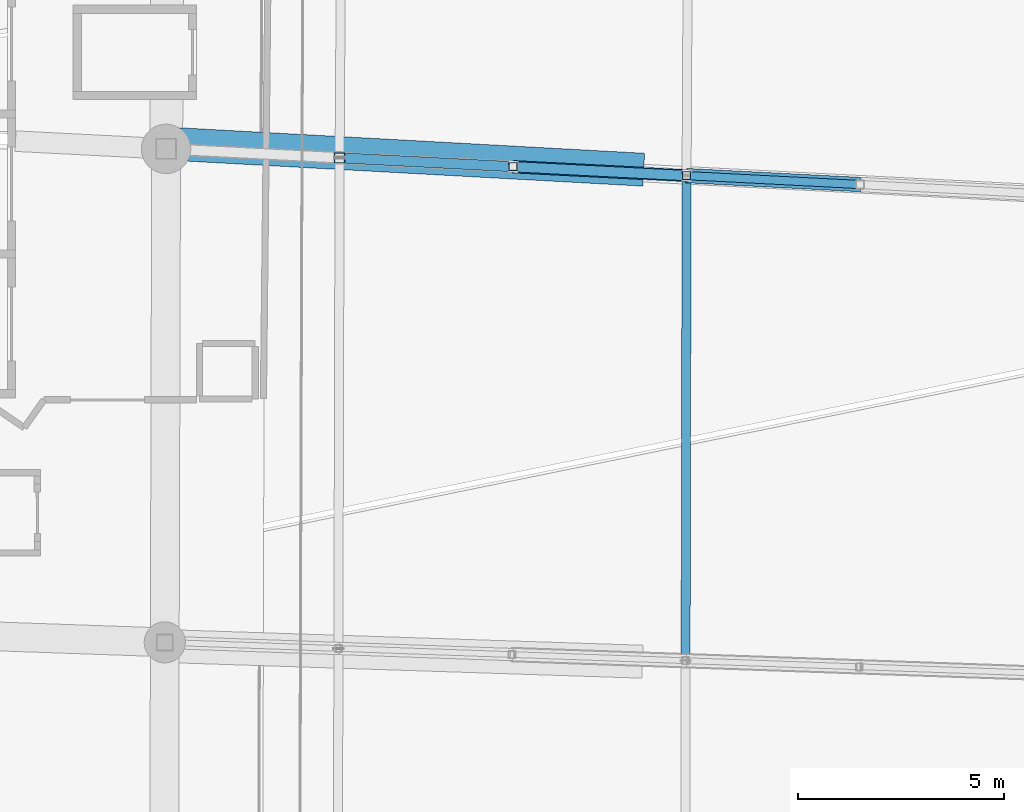
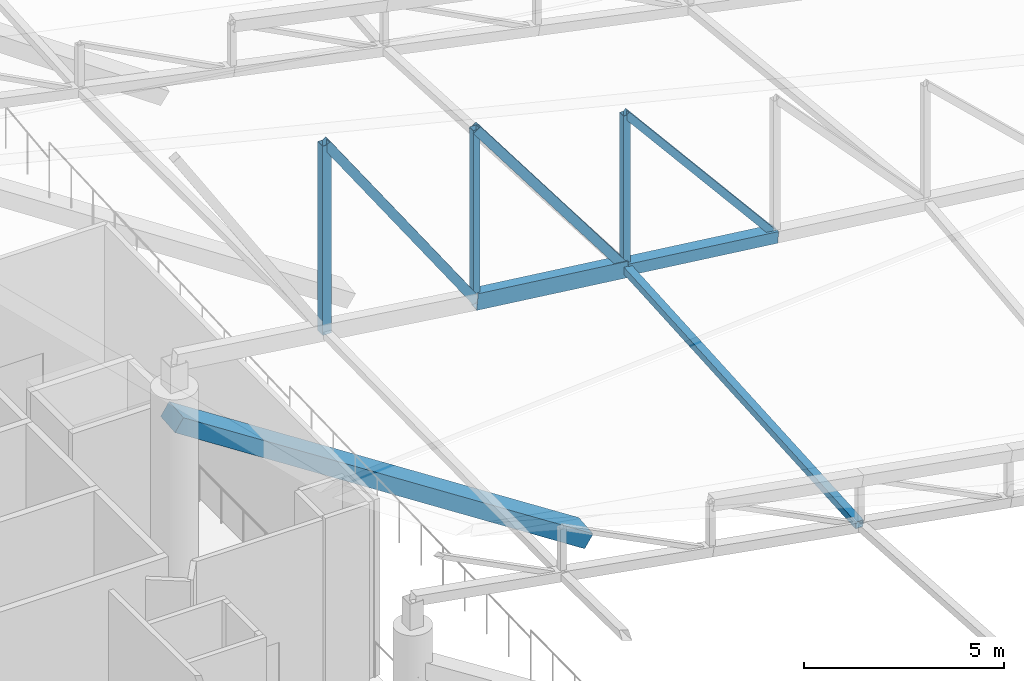
# One storey, part 118 of 344: 9 members, 1 beam.
"""IFC4 building model written with IfcOpenShell, lengths in metres."""

from ifc_helpers import new_model, si_unit, direction, frame, origin, origin_2d, place, context, subcontext, project, spatial, rectangle, hollow_rectangle, extrude, material, material_profile, profile_set, type_object, element, save


model = new_model("IFC4")

# Units and contexts
model_context = context("Model", 3, precision=1e-05, world=origin(), true_north=direction((0.0, 1.0)))
body_context = subcontext(model_context, "Body", "Model", "MODEL_VIEW")
ifc_project = project(units=[si_unit("LENGTHUNIT", "METRE"), si_unit("AREAUNIT", "SQUARE_METRE"), si_unit("VOLUMEUNIT", "CUBIC_METRE"), si_unit("PLANEANGLEUNIT", "RADIAN"), si_unit("MASSUNIT", "GRAM", prefix="KILO")], contexts=[model_context])

# Site, building, storey
site_placement = place(None, origin())
site = spatial("IfcSite", under=ifc_project, at=site_placement, CompositionType="ELEMENT")
building_placement = place(site_placement, origin())
building = spatial("IfcBuilding", under=site, at=building_placement, Name="Meseta Stadium", CompositionType="ELEMENT")
storey_placement = place(building_placement, frame((0.0, 0.0, 24.0)))
storey = spatial("IfcBuildingStorey", under=building, at=storey_placement, Name="L04", CompositionType="ELEMENT", Elevation=24.0)

# Beam
ifc_material_1 = material(Name="Concrete C40/50", Category="concrete")
ifc_material_profile_1 = material_profile(ifc_material_1, rectangle(XDim=0.800048828125, YDim=0.449951171875, at=origin_2d()), Name="RC 800x450")
ifc_profile_set_1 = profile_set([ifc_material_profile_1], Name="Concrete C40/50")
beam_type = type_object("IfcBeamType", Name="RC raker upper rear 800x450", PredefinedType="USERDEFINED", material=ifc_profile_set_1)
beam_placement = place(storey_placement, frame((-73.451416015625, 29.904052734375, -2.212158203125), z_axis=(-0.846740729014, 0.046430045715, 0.529975837831), x_axis=(-0.054751589678, -0.998500006724, 0.0)))
element("IfcBeam", 1, at=beam_placement, inside=storey, type_object=beam_type, Name="Raker upper rear frame 30 upper tier", ObjectType="RAKER", PredefinedType="USERDEFINED", context=body_context, shape_type="SweptSolid", body=[
    extrude(rectangle(XDim=0.800048828125, YDim=0.449951171875, at=origin_2d()), origin(), (0.0, 0.0, 1.0), 13.56103515625),
])

# Members
ifc_material_2 = material(Name="Steel S355", Category="steel")
ifc_material_profile_2 = material_profile(ifc_material_2, hollow_rectangle(XDim=0.300048828125, YDim=0.5, WallThickness=0.01611328125, at=origin_2d()), Name="RHS 500x300x16")
ifc_profile_set_2 = profile_set([ifc_material_profile_2], Name="Steel S355")
member_type_1 = type_object("IfcMemberType", Name="RHS 500x300x16 bottom chord", PredefinedType="CHORD", material=ifc_profile_set_2)
member_1_placement = place(storey_placement, frame((-72.290771484375, 29.75390625, 5.624755859375), z_axis=(-0.995305865628, 0.051116687095, 0.082178574743), x_axis=(-0.051290169905, -0.998683793035, 0.0)))
element("IfcMember", 2, at=member_1_placement, inside=storey, type_object=member_type_1, Name="ROOF TRUSS RT-30 bottom chord", PredefinedType="CHORD", context=body_context, shape_type="SweptSolid", body=[
    extrude(hollow_rectangle(XDim=0.300048828125, YDim=0.5, WallThickness=0.01611328125, at=origin_2d()), origin(), (0.0, 0.0, 1.0), 4.236328125),
])
ifc_material_3 = material(Name="Steel S355", Category="steel")
ifc_material_profile_3 = material_profile(ifc_material_3, hollow_rectangle(XDim=0.199951171875, YDim=0.199951171875, WallThickness=0.008056640625, at=origin_2d()), Name="SHS 200x200x8")
ifc_profile_set_3 = profile_set([ifc_material_profile_3], Name="Steel S355")
member_type_2 = type_object("IfcMemberType", Name="SHS 200x200x8 diagonal", PredefinedType="BRACE", material=ifc_profile_set_3)
member_2_placement = place(storey_placement, frame((-68.07421875, 29.537109375, 5.276611328125), z_axis=(-0.641537062944, 0.032985056563, 0.766382530407), x_axis=(-0.051347841848, -0.998680829463, 0.0)))
element("IfcMember", 3, at=member_2_placement, inside=storey, type_object=member_type_2, Name="ROOF TRUSS RT-30 diagonal", PredefinedType="BRACE", context=body_context, shape_type="SweptSolid", body=[
    extrude(hollow_rectangle(XDim=0.199951171875, YDim=0.199951171875, WallThickness=0.008056640625, at=origin_2d()), origin(), (0.0, 0.0, 1.0), 6.572509765625),
])
ifc_material_4 = material(Name="Steel S355", Category="steel")
ifc_material_profile_4 = material_profile(ifc_material_4, hollow_rectangle(XDim=0.199951171875, YDim=0.199951171875, WallThickness=0.008056640625, at=origin_2d()), Name="SHS 200x200x8")
ifc_profile_set_4 = profile_set([ifc_material_profile_4], Name="Steel S355")
member_type_3 = type_object("IfcMemberType", Name="SHS 200x200x8 post", PredefinedType="POST", material=ifc_profile_set_4)
member_3_placement = place(storey_placement, frame((-72.290771484375, 29.75390625, 5.624755859375), z_axis=(0.0, 0.0, 1.0), x_axis=(1.0, 0.0, 0.0)))
element("IfcMember", 4, at=member_3_placement, inside=storey, type_object=member_type_3, Name="ROOF TRUSS RT-30 post", PredefinedType="POST", context=body_context, shape_type="SweptSolid", body=[
    extrude(hollow_rectangle(XDim=0.199951171875, YDim=0.199951171875, WallThickness=0.008056640625, at=origin_2d()), origin(), (0.0, 0.0, 1.0), 4.68896484375),
])
member_4_placement = place(storey_placement, frame((-76.50732421875, 29.970458984375, 5.972900390625), z_axis=(0.0, 0.0, 1.0), x_axis=(1.0, 0.0, 0.0)))
element("IfcMember", 5, at=member_4_placement, inside=storey, type_object=member_type_3, Name="ROOF TRUSS RT-30 post", PredefinedType="POST", context=body_context, shape_type="SweptSolid", body=[
    extrude(hollow_rectangle(XDim=0.199951171875, YDim=0.199951171875, WallThickness=0.008056640625, at=origin_2d()), origin(), (0.0, 0.0, 1.0), 5.237060546875),
])
ifc_material_5 = material(Name="Steel S355", Category="steel")
ifc_material_profile_5 = material_profile(ifc_material_5, hollow_rectangle(XDim=0.219970703125, YDim=0.219970703125, WallThickness=0.008056640625, at=origin_2d()), Name="SHS 220x220x8")
ifc_profile_set_5 = profile_set([ifc_material_profile_5], Name="Steel S355")
member_type_4 = type_object("IfcMemberType", Name="SHS 220x220x8 strut", PredefinedType="STRUT", material=ifc_profile_set_5)
member_5_placement = place(storey_placement, frame((-72.290771484375, 29.75390625, 5.624755859375), z_axis=(-0.001984287005, -0.998117033405, -0.061306200606), x_axis=(0.999998023873, -0.001988026472, 0.0)))
element("IfcMember", 6, at=member_5_placement, inside=storey, type_object=member_type_4, Name="ROOF TRUSS STRUT RT-30/31", PredefinedType="STRUT", context=body_context, shape_type="SweptSolid", body=[
    extrude(hollow_rectangle(XDim=0.219970703125, YDim=0.219970703125, WallThickness=0.008056640625, at=origin_2d()), origin(), (0.0, 0.0, 1.0), 11.8115234375),
])
ifc_material_6 = material(Name="Steel S355", Category="steel")
ifc_material_profile_6 = material_profile(ifc_material_6, hollow_rectangle(XDim=0.25, YDim=0.25, WallThickness=0.010009765625, at=origin_2d()), Name="SHS 250x250x10")
ifc_profile_set_6 = profile_set([ifc_material_profile_6], Name="Steel S355")
member_type_5 = type_object("IfcMemberType", Name="SHS 250x250x10 diagonal", PredefinedType="BRACE", material=ifc_profile_set_6)
member_6_placement = place(storey_placement, frame((-72.290771484375, 29.75390625, 5.624755859375), z_axis=(-0.602237311618, 0.030929563743, 0.797717733651), x_axis=(-0.051290169905, -0.998683793035, 0.0)))
element("IfcMember", 7, at=member_6_placement, inside=storey, type_object=member_type_5, Name="ROOF TRUSS RT-30 diagonal", PredefinedType="BRACE", context=body_context, shape_type="SweptSolid", body=[
    extrude(hollow_rectangle(XDim=0.25, YDim=0.25, WallThickness=0.010009765625, at=origin_2d()), origin(), (0.0, 0.0, 1.0), 7.00146484375),
])
member_7_placement = place(storey_placement, frame((-76.50732421875, 29.970458984375, 5.972900390625), z_axis=(-0.566302566159, 0.029115138881, 0.823683016851), x_axis=(-0.051344876791, -0.998680981909, 0.0)))
element("IfcMember", 8, at=member_7_placement, inside=storey, type_object=member_type_5, Name="ROOF TRUSS RT-30 diagonal", PredefinedType="BRACE", context=body_context, shape_type="SweptSolid", body=[
    extrude(hollow_rectangle(XDim=0.25, YDim=0.25, WallThickness=0.010009765625, at=origin_2d()), origin(), (0.0, 0.0, 1.0), 7.4462890625),
])
ifc_material_7 = material(Name="Steel S355", Category="steel")
ifc_material_profile_7 = material_profile(ifc_material_7, hollow_rectangle(XDim=0.25, YDim=0.25, WallThickness=0.010009765625, at=origin_2d()), Name="SHS 250x250x10")
ifc_profile_set_7 = profile_set([ifc_material_profile_7], Name="Steel S355")
member_type_6 = type_object("IfcMemberType", Name="SHS 250x250x10 post", PredefinedType="POST", material=ifc_profile_set_7)
member_8_placement = place(storey_placement, frame((-80.72412109375, 30.187255859375, 6.321044921875), z_axis=(0.0, 0.0, 1.0), x_axis=(1.0, 0.0, 0.0)))
element("IfcMember", 9, at=member_8_placement, inside=storey, type_object=member_type_6, Name="ROOF TRUSS RT-30 post", PredefinedType="POST", context=body_context, shape_type="SweptSolid", body=[
    extrude(hollow_rectangle(XDim=0.25, YDim=0.25, WallThickness=0.010009765625, at=origin_2d()), origin(), (0.0, 0.0, 1.0), 5.78515625),
])
ifc_material_8 = material(Name="Steel S355", Category="steel")
ifc_material_profile_8 = material_profile(ifc_material_8, hollow_rectangle(XDim=0.35009765625, YDim=0.35009765625, WallThickness=0.01416015625, at=origin_2d()), Name="SHS 350x350x14.2")
ifc_profile_set_8 = profile_set([ifc_material_profile_8], Name="Steel S355")
member_type_7 = type_object("IfcMemberType", Name="SHS 350x350x14.2 bottom chord", PredefinedType="CHORD", material=ifc_profile_set_8)
member_9_placement = place(storey_placement, frame((-68.07421875, 29.537109375, 5.276611328125), z_axis=(-0.995302932026, 0.051174164996, 0.082178332527), x_axis=(-0.051347841848, -0.998680829463, 0.0)))
element("IfcMember", 10, at=member_9_placement, inside=storey, type_object=member_type_7, Name="ROOF TRUSS RT-30 bottom chord", PredefinedType="CHORD", context=body_context, shape_type="SweptSolid", body=[
    extrude(hollow_rectangle(XDim=0.35009765625, YDim=0.35009765625, WallThickness=0.01416015625, at=origin_2d()), origin(), (0.0, 0.0, 1.0), 4.236572265625),
])

save(model, "model.ifc")
